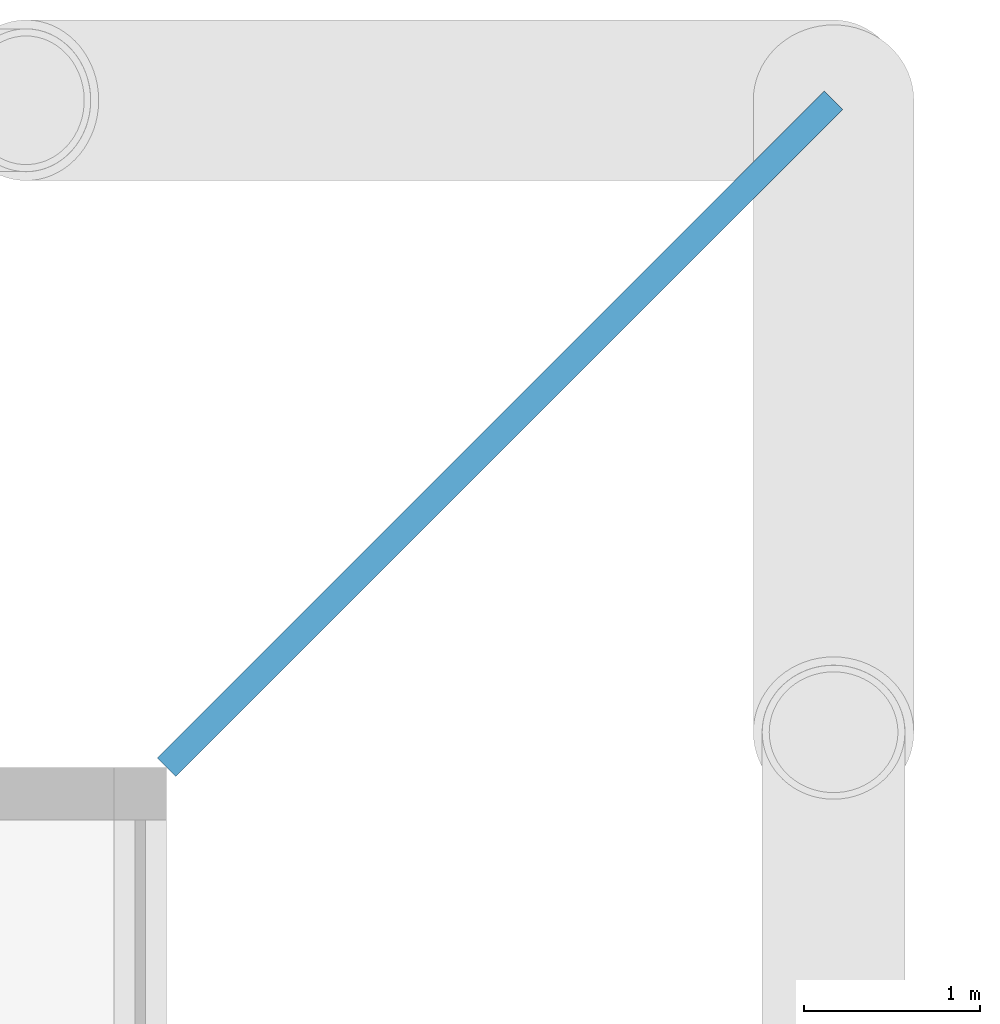
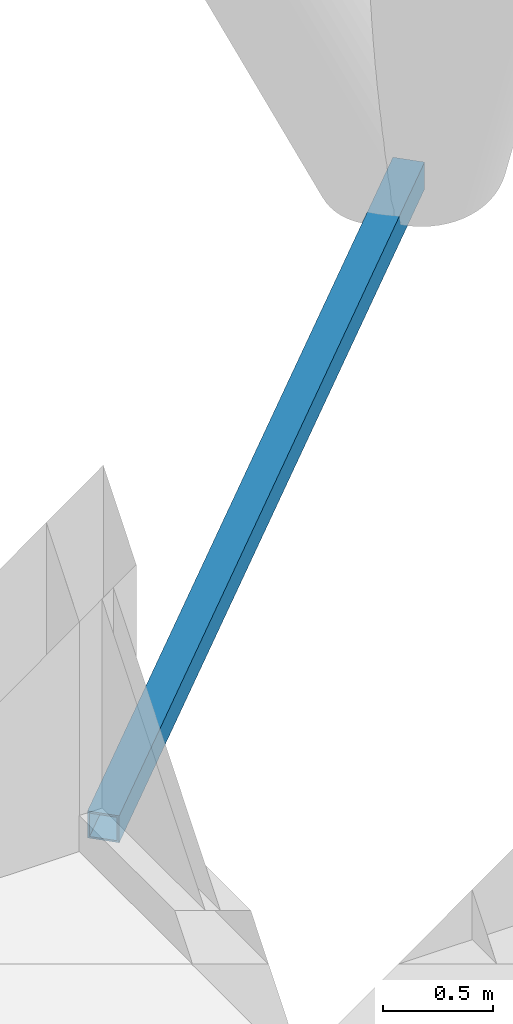
# One storey, part 15 of 17: 1 discrete accessory.
"""IFC4 building model written with IfcOpenShell, lengths in metres."""

from ifc_helpers import new_model, si_unit, direction, frame, origin, origin_2d, place, context, subcontext, project, spatial, hollow_rectangle, extrude, material, element, save


model = new_model("IFC4")

# Units and contexts
model_context = context("Model", 3, precision=1e-05, world=origin(), true_north=direction((0.0, 1.0)))
body_context = subcontext(model_context, "Body", "Model", "MODEL_VIEW")
ifc_project = project(units=[si_unit("LENGTHUNIT", "METRE"), si_unit("AREAUNIT", "SQUARE_METRE"), si_unit("VOLUMEUNIT", "CUBIC_METRE"), si_unit("PLANEANGLEUNIT", "RADIAN"), si_unit("MASSUNIT", "GRAM", prefix="KILO")], contexts=[model_context])

# Site, building, storey
site_placement = place(None, origin())
site = spatial("IfcSite", under=ifc_project, at=site_placement, CompositionType="ELEMENT")
building_placement = place(site_placement, origin())
building = spatial("IfcBuilding", under=site, at=building_placement, Name="Fustian Cross Tower", CompositionType="ELEMENT")
storey_placement = place(building_placement, frame((0.0, 0.0, 56.699951171875)))
storey = spatial("IfcBuildingStorey", under=building, at=storey_placement, Name="L17", CompositionType="ELEMENT", Elevation=56.699951171875)

# Discrete accessory
ifc_material = material(Name="Steel S355", Category="steel")
discrete_accessory_placement = place(storey_placement, frame((9.199951171875, 45.199951171875, -0.14990234375), z_axis=(-0.707106781187, -0.707106781187, 0.0), x_axis=(0.707106781187, -0.707106781187, 0.0)))
element("IfcDiscreteAccessory", 1, at=discrete_accessory_placement, inside=storey, material=ifc_material, Name="Diagrid node bracket L17-12", PredefinedType="BRACKET", context=body_context, shape_type="SweptSolid", body=[
    extrude(hollow_rectangle(XDim=0.14990234375, YDim=0.14990234375, WallThickness=0.010009765625, at=origin_2d()), origin(), (0.0, 0.0, 1.0), 5.3740234375),
])

save(model, "model.ifc")
